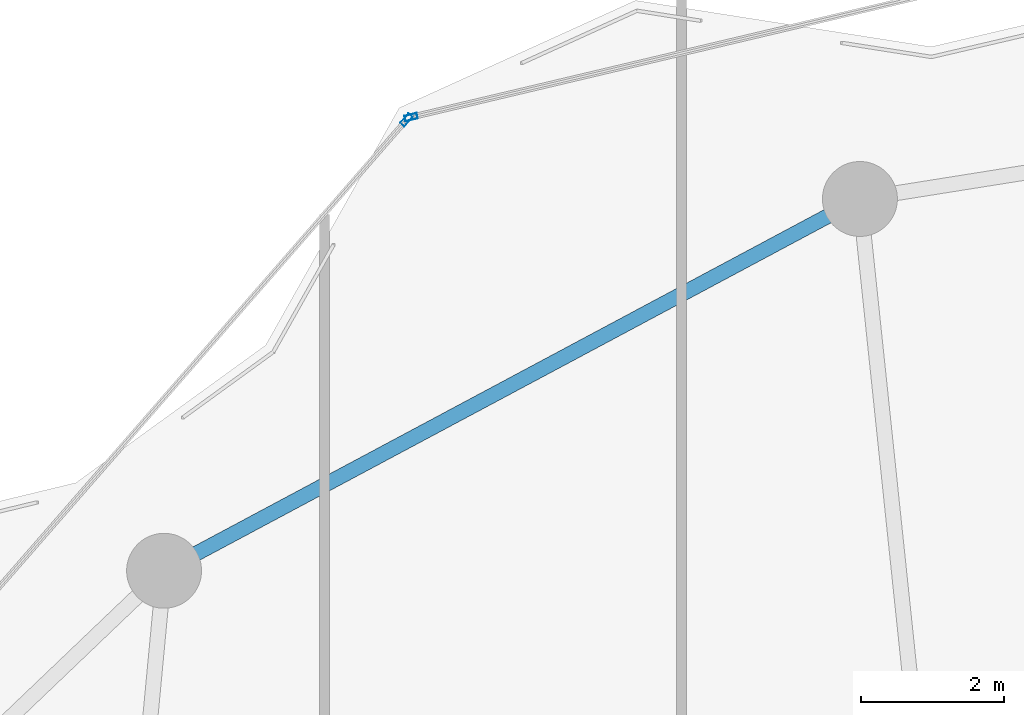
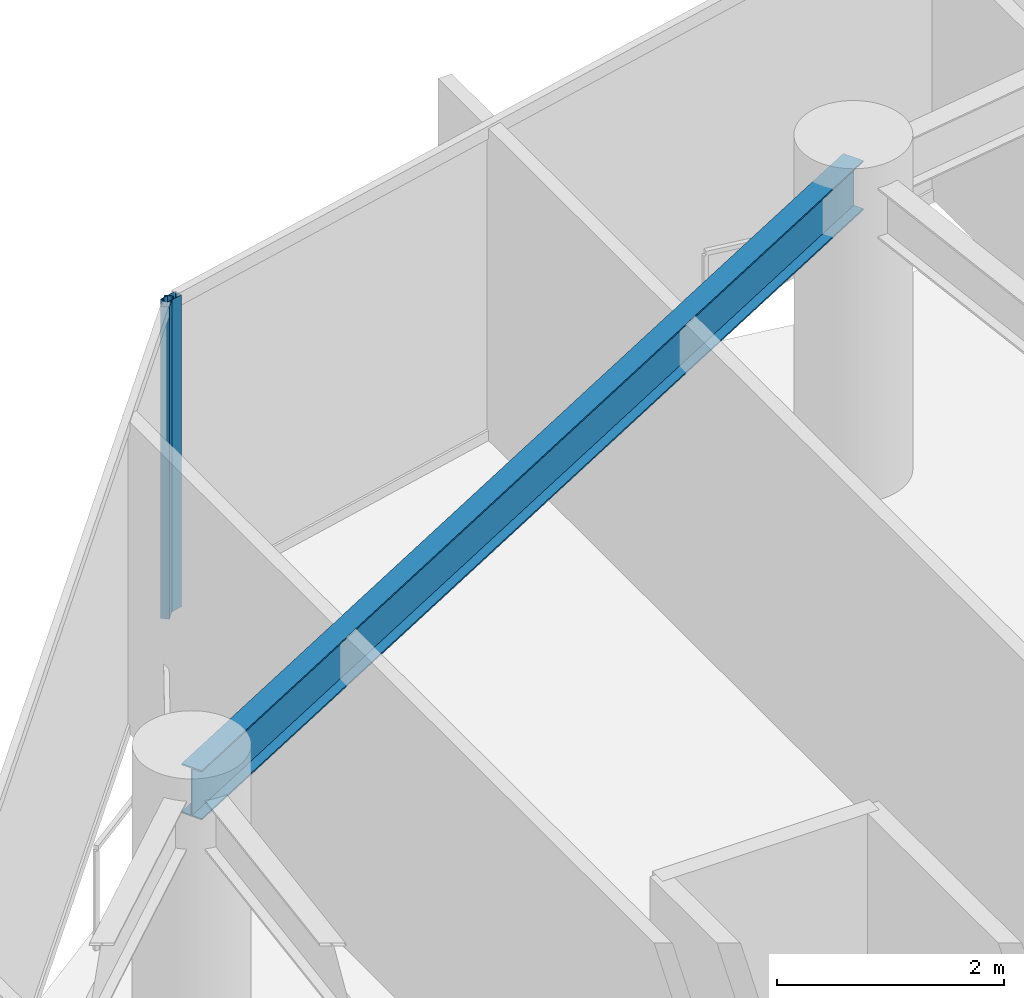
# One storey, part 17 of 29: 2 members, 1 beam, 2 elements without a shape of their own.
"""IFC4 building model written with IfcOpenShell, lengths in metres."""

import ifcopenshell
import ifcopenshell.guid

model = None  # the IFC model being written
_history = None  # IfcOwnerHistory: only IFC2X3 demands one
_inside = {}  # id of a spatial element -> (the spatial element, [elements in it])
_under = {}  # id of a project, library or spatial element -> (it, [spatial elements below it])
_declared = {}  # id of a project -> (the project, [libraries it declares])
_typed = {}  # id of a type object -> (the type object, [elements of that type])
_made_of = {}  # id of a material, layer set ... -> (it, [elements and type objects made of it])


def new_model(schema):
    """Start an empty IFC model of exactly this schema.

    Asked for "IFC4X3", IfcOpenShell would pick the latest addendum, in which some entities
    have other attributes; the version numbers below select the first issue.
    IFC2X3 requires an IfcOwnerHistory on every rooted entity: one is made here for all.
    """
    global model, _history
    if schema == "IFC4X3":
        model = ifcopenshell.file(schema_version=(4, 3, 0, 0))
    else:
        model = ifcopenshell.file(schema=schema)
    _inside.clear()
    _under.clear()
    _declared.clear()
    _typed.clear()
    _made_of.clear()
    _history = None
    if model.schema == "IFC2X3":
        org = make("IfcOrganization", Name="unknown")
        user = make(
            "IfcPersonAndOrganization",
            ThePerson=make("IfcPerson", FamilyName="unknown"),
            TheOrganization=org,
        )
        app = make(
            "IfcApplication",
            ApplicationDeveloper=org,
            Version="unknown",
            ApplicationFullName="unknown",
            ApplicationIdentifier="unknown",
        )
        _history = make(
            "IfcOwnerHistory",
            OwningUser=user,
            OwningApplication=app,
            ChangeAction="ADDED",
            CreationDate=0,
        )
    return model


def make(cls, **values):
    """One entity of the class cls with the attributes given. An attribute that is None is left unset."""
    return model.create_entity(
        cls, **{name: value for name, value in values.items() if value is not None}
    )


def rooted(cls, **values):
    """An entity with a GlobalId (a new one), such as an element, a storey or a relation."""
    return make(cls, GlobalId=ifcopenshell.guid.new(), OwnerHistory=_history, **values)


def si_unit(unit_type, name, prefix=None):
    """IfcSIUnit, for example si_unit("LENGTHUNIT", "METRE", prefix="MILLI")."""
    return make("IfcSIUnit", UnitType=unit_type, Prefix=prefix, Name=name)


def assignment(units):
    """IfcUnitAssignment: the units of a project."""
    return None if units is None else make("IfcUnitAssignment", Units=units)


def point(xyz):
    """IfcCartesianPoint."""
    return None if xyz is None else make("IfcCartesianPoint", Coordinates=xyz)


def direction(xyz):
    """IfcDirection."""
    return None if xyz is None else make("IfcDirection", DirectionRatios=xyz)


def frame(location, z_axis=None, x_axis=None):
    """IfcAxis2Placement3D, a coordinate frame: its origin and axes. An axis left out is left unset."""
    return make(
        "IfcAxis2Placement3D",
        Location=point(location),
        Axis=direction(z_axis),
        RefDirection=direction(x_axis),
    )


def frame_2d(location, x_axis=None):
    """IfcAxis2Placement2D, a coordinate frame in the plane: its origin and x axis."""
    return make(
        "IfcAxis2Placement2D", Location=point(location), RefDirection=direction(x_axis)
    )


def origin():
    """The frame at (0, 0, 0) with its axes left unset."""
    return frame((0.0, 0.0, 0.0))


def origin_2d():
    """The frame at (0, 0) in the plane with its x axis left unset."""
    return frame_2d((0.0, 0.0))


def place(relative_to, where):
    """IfcLocalPlacement: puts the frame where relative to a parent placement (None: the world)."""
    return make(
        "IfcLocalPlacement", PlacementRelTo=relative_to, RelativePlacement=where
    )


def context(
    kind, dimensions, precision=None, world=None, true_north=None, identifier=None
):
    """IfcGeometricRepresentationContext, for example the 3D "Model" context."""
    return make(
        "IfcGeometricRepresentationContext",
        ContextIdentifier=identifier,
        ContextType=kind,
        CoordinateSpaceDimension=dimensions,
        Precision=precision,
        WorldCoordinateSystem=world,
        TrueNorth=true_north,
    )


def subcontext(parent, identifier, kind, view, scale=None):
    """IfcGeometricRepresentationSubContext, for example "Body" below "Model"."""
    return make(
        "IfcGeometricRepresentationSubContext",
        ContextIdentifier=identifier,
        ContextType=kind,
        ParentContext=parent,
        TargetScale=scale,
        TargetView=view,
    )


def project(units=None, contexts=None):
    """IfcProject with its units and contexts."""
    return rooted(
        "IfcProject",
        Name="project",
        RepresentationContexts=contexts,
        UnitsInContext=assignment(units),
    )


def spatial(cls, under=None, at=None, **own):
    """A site, building, storey or space (cls), placed at a placement, below another one or the project."""
    s = rooted(cls, ObjectPlacement=at, **own)
    if under is not None:
        _under.setdefault(under.id(), (under, []))[1].append(s)
    return s


def profile(cls, at=None, kind="AREA", **sizes):
    """A parametric profile (cls). Its sizes go by their IFC names, for example OverallWidth=200.0."""
    return make(cls, ProfileType=kind, Position=at, **sizes)


def hollow_rectangle(**sizes):
    """IfcRectangleHollowProfileDef."""
    return profile("IfcRectangleHollowProfileDef", **sizes)


def i_section(**sizes):
    """IfcIShapeProfileDef."""
    return profile("IfcIShapeProfileDef", **sizes)


def extrude(swept, where, along, depth):
    """IfcExtrudedAreaSolid: the profile swept, set in the frame where, extruded along a direction by depth."""
    return make(
        "IfcExtrudedAreaSolid",
        SweptArea=swept,
        Position=where,
        ExtrudedDirection=direction(along),
        Depth=depth,
    )


def shape(context_of_items, identifier, shape_type, items):
    """IfcShapeRepresentation: the items that make up one representation, for example the "Body"."""
    return make(
        "IfcShapeRepresentation",
        ContextOfItems=context_of_items,
        RepresentationIdentifier=identifier,
        RepresentationType=shape_type,
        Items=items,
    )


def material(Name=None, Category=None):
    """IfcMaterial."""
    return make("IfcMaterial", Name=Name, Category=Category)


def layer(
    of_material, thickness, ventilated=None, Name=None, Category=None, Priority=None
):
    """IfcMaterialLayer: one layer of a wall or slab, of a material (None: an air gap)."""
    return make(
        "IfcMaterialLayer",
        Material=of_material,
        LayerThickness=thickness,
        IsVentilated=ventilated,
        Name=Name,
        Category=Category,
        Priority=Priority,
    )


def layer_set(layers, Name=None):
    """IfcMaterialLayerSet."""
    return make("IfcMaterialLayerSet", MaterialLayers=layers, LayerSetName=Name)


def material_profile(
    of_material, cross_section, Name=None, Category=None, Priority=None
):
    """IfcMaterialProfile: a cross section and its material."""
    return make(
        "IfcMaterialProfile",
        Name=Name,
        Material=of_material,
        Profile=cross_section,
        Priority=Priority,
        Category=Category,
    )


def profile_set(profiles, Name=None, composite=None):
    """IfcMaterialProfileSet."""
    return make(
        "IfcMaterialProfileSet",
        Name=Name,
        MaterialProfiles=profiles,
        CompositeProfile=composite,
    )


def made_of(thing, what):
    """Note that an element or type object is made of a material, layer set ...; save() writes the relation."""
    if what is not None:
        _made_of.setdefault(what.id(), (what, []))[1].append(thing)
    return thing


def type_object(cls, material=None, **own):
    """A type object (cls), such as IfcWallType, which elements share."""
    return made_of(rooted(cls, **own), material)


def element(
    cls,
    number,
    at=None,
    inside=None,
    cuts=None,
    type_object=None,
    material=None,
    context=None,
    identifier="Body",
    shape_type=None,
    held_by="IfcProductDefinitionShape",
    body=None,
    shapes=None,
    **own,
):
    """One element of the class cls, such as IfcWall. Its Tag is "e" and its number.

    at: its placement. inside: the storey or other place that contains it. cuts: it is an
    opening in that element (IfcRelVoidsElement). A single representation is given by context,
    identifier, shape_type and body (its items); several are given by shapes. held_by: the class
    of the entity that holds the representations. save() writes the other relations.
    """
    e = rooted(cls, Tag="e%d" % number, ObjectPlacement=at, **own)
    if body is not None:
        shapes = [shape(context, identifier, shape_type, body)]
    if shapes is not None:
        e.Representation = make(held_by, Representations=shapes)
    if inside is not None:
        _inside.setdefault(inside.id(), (inside, []))[1].append(e)
    if cuts is not None:
        rooted(
            "IfcRelVoidsElement", RelatingBuildingElement=cuts, RelatedOpeningElement=e
        )
    if type_object is not None:
        _typed.setdefault(type_object.id(), (type_object, []))[1].append(e)
    return made_of(e, material)


def aggregate(whole, parts):
    """IfcRelAggregates: a whole, such as a stair, and the parts it consists of."""
    return rooted("IfcRelAggregates", RelatingObject=whole, RelatedObjects=parts)


def save(model, path):
    """Write the relations noted so far, then the file.

    IfcRelAggregates (storeys below a building ...), IfcRelContainedInSpatialStructure (elements
    in a storey), IfcRelDefinesByType, IfcRelAssociatesMaterial and IfcRelDeclares: one each for
    every whole, place, type object, material and project.
    """
    for whole, parts in _under.values():
        aggregate(whole, parts)
    for where, things in _inside.values():
        rooted(
            "IfcRelContainedInSpatialStructure",
            RelatedElements=things,
            RelatingStructure=where,
        )
    for kind, things in _typed.values():
        rooted("IfcRelDefinesByType", RelatedObjects=things, RelatingType=kind)
    for what, things in _made_of.values():
        rooted("IfcRelAssociatesMaterial", RelatedObjects=things, RelatingMaterial=what)
    for by, libraries in _declared.values():
        rooted("IfcRelDeclares", RelatingContext=by, RelatedDefinitions=libraries)
    model.write(path)


model = new_model("IFC4")

# Units and contexts
model_context = context("Model", 3, precision=1e-05, world=origin(), true_north=direction((0.0, 1.0)))
body_context = subcontext(model_context, "Body", "Model", "MODEL_VIEW")
ifc_project = project(units=[si_unit("LENGTHUNIT", "METRE"), si_unit("AREAUNIT", "SQUARE_METRE"), si_unit("VOLUMEUNIT", "CUBIC_METRE"), si_unit("PLANEANGLEUNIT", "RADIAN"), si_unit("MASSUNIT", "GRAM", prefix="KILO")], contexts=[model_context])

# Site, building, storey
site_placement = place(None, origin())
site = spatial("IfcSite", under=ifc_project, at=site_placement, CompositionType="ELEMENT")
building_placement = place(site_placement, origin())
building = spatial("IfcBuilding", under=site, at=building_placement, Name="Kazevale Care Tower and Concert Hall", CompositionType="ELEMENT")
storey_placement = place(building_placement, frame((0.0, 0.0, 199.199951171875)))
storey = spatial("IfcBuildingStorey", under=building, at=storey_placement, Name="L52", CompositionType="ELEMENT", Elevation=199.199951171875)

# Curtain wall, member
ifc_material_1 = material(Name="Aluminium 6063-T6 and Low-E Glass", Category="aluminium")
ifc_layer_1 = layer(ifc_material_1, 0.179931640625)
ifc_layer_set_1 = layer_set([ifc_layer_1], Name="Aluminium 6063-T6 and Low-E Glass")
curtain_wall_type_1 = type_object("IfcCurtainWallType", Name="Convex Checkerboard Finned Curtain Wall CW-2", PredefinedType="NOTDEFINED", material=ifc_layer_set_1)
curtain_wall_1_placement = place(storey_placement, origin())
curtain_wall_1 = element("IfcCurtainWall", 1, at=curtain_wall_1_placement, inside=storey, type_object=curtain_wall_type_1, Name="cw:L52:f14", PredefinedType="NOTDEFINED")
ifc_material_2 = material(Name="Aluminium 6063-T6", Category="aluminium")
ifc_material_profile_1 = material_profile(ifc_material_2, hollow_rectangle(XDim=0.080078125, YDim=0.179931640625, WallThickness=0.0048828125, at=origin_2d()), Name="ALU80x180x5")
ifc_profile_set_1 = profile_set([ifc_material_profile_1], Name="Aluminium 6063-T6")
member_type_1 = type_object("IfcMemberType", Name="CW-2 Mullion ALU80x180x5", PredefinedType="MULLION", material=ifc_profile_set_1)
member_1_placement = place(storey_placement, frame((27.145751953125, 61.326904296875, 0.0), z_axis=(0.0, 0.0, 1.0), x_axis=(-0.753738225685, 0.657174776708, 0.0)))
member_1 = element("IfcMember", 2, at=member_1_placement, type_object=member_type_1, Name="CW-2 mullion 2", PredefinedType="MULLION", context=body_context, shape_type="SweptSolid", body=[
    extrude(hollow_rectangle(XDim=0.080078125, YDim=0.179931640625, WallThickness=0.0048828125, at=origin_2d()), origin(), (0.0, 0.0, 1.0), 3.360107421875),
])
aggregate(curtain_wall_1, [member_1])

ifc_layer_2 = layer(ifc_material_1, 0.179931640625)
ifc_layer_set_2 = layer_set([ifc_layer_2], Name="Aluminium 6063-T6 and Low-E Glass")
curtain_wall_type_2 = type_object("IfcCurtainWallType", Name="Waist & Upper Residential Curtain Wall CW-4", PredefinedType="NOTDEFINED", material=ifc_layer_set_2)
curtain_wall_2_placement = place(storey_placement, origin())
curtain_wall_2 = element("IfcCurtainWall", 3, at=curtain_wall_2_placement, inside=storey, type_object=curtain_wall_type_2, Name="cw:L52:f15", PredefinedType="NOTDEFINED")
ifc_material_profile_2 = material_profile(ifc_material_2, hollow_rectangle(XDim=0.080078125, YDim=0.179931640625, WallThickness=0.0048828125, at=origin_2d()), Name="ALU80x180x5")
ifc_profile_set_2 = profile_set([ifc_material_profile_2], Name="Aluminium 6063-T6")
member_type_2 = type_object("IfcMemberType", Name="CW-4 Mullion ALU80x180x5", PredefinedType="MULLION", material=ifc_profile_set_2)
member_2_placement = place(storey_placement, frame((27.2109375, 61.3662109375, 0.0), z_axis=(0.0, 0.0, 1.0), x_axis=(-0.230439111929, 0.973086746233, 0.0)))
member_2 = element("IfcMember", 4, at=member_2_placement, type_object=member_type_2, Name="CW-4 mullion 1", PredefinedType="MULLION", context=body_context, shape_type="SweptSolid", body=[
    extrude(hollow_rectangle(XDim=0.080078125, YDim=0.179931640625, WallThickness=0.0048828125, at=origin_2d()), origin(), (0.0, 0.0, 1.0), 3.360107421875),
])
aggregate(curtain_wall_2, [member_2])

# Beam
ifc_material_3 = material(Name="Steel ASTM A572 Gr 50", Category="steel")
ifc_material_profile_3 = material_profile(ifc_material_3, i_section(OverallWidth=0.208984375, OverallDepth=0.532958984375, WebThickness=0.01025390625, FlangeThickness=0.015625, at=origin_2d()), Name="W530x92")
ifc_profile_set_3 = profile_set([ifc_material_profile_3], Name="Steel ASTM A572 Gr 50")
beam_type = type_object("IfcBeamType", Name="Upper Ring Beam W530x92", PredefinedType="BEAM", material=ifc_profile_set_3)
beam_placement = place(storey_placement, frame((33.5, 60.219970703125, 3.093505859375), z_axis=(-0.881978519833, -0.471289603697, 0.0), x_axis=(0.471289603697, -0.881978519833, 0.0)))
element("IfcBeam", 5, at=beam_placement, inside=storey, type_object=beam_type, Name="beam:L52:ring:06", PredefinedType="BEAM", context=body_context, shape_type="SweptSolid", body=[
    extrude(i_section(OverallWidth=0.208984375, OverallDepth=0.532958984375, WebThickness=0.01025390625, FlangeThickness=0.015625, at=origin_2d()), origin(), (0.0, 0.0, 1.0), 11.0546875),
])

save(model, "model.ifc")
